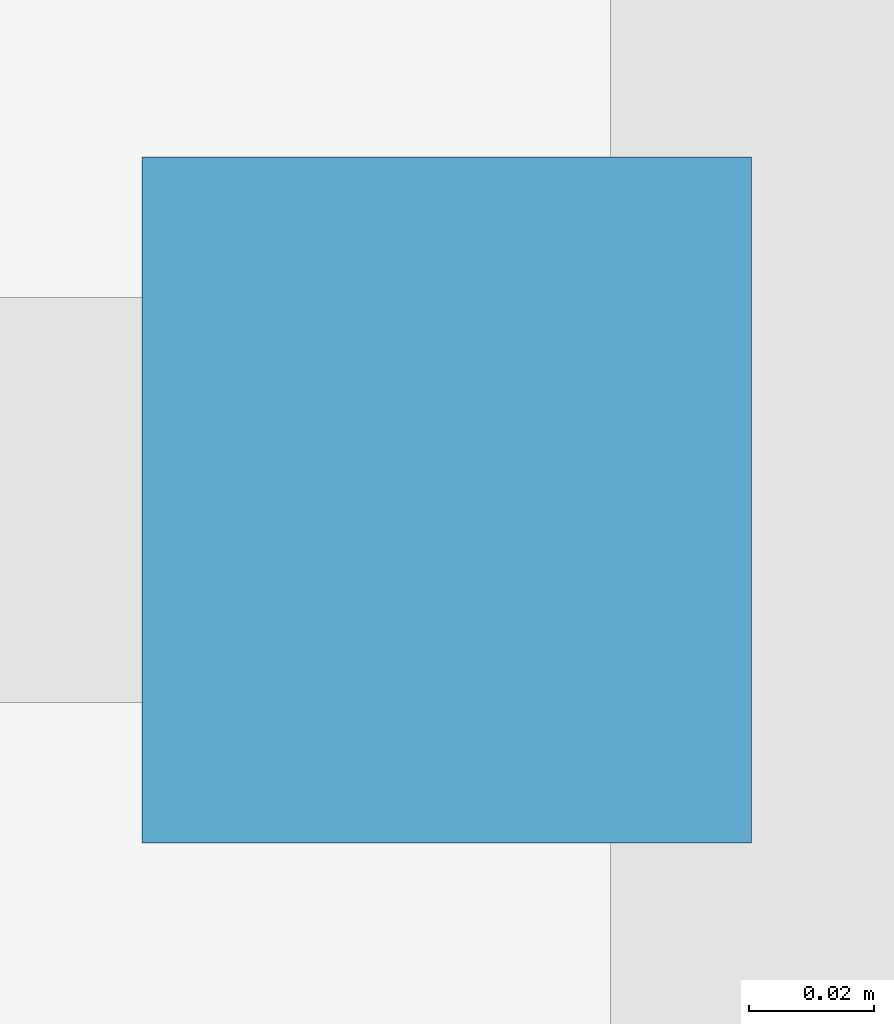
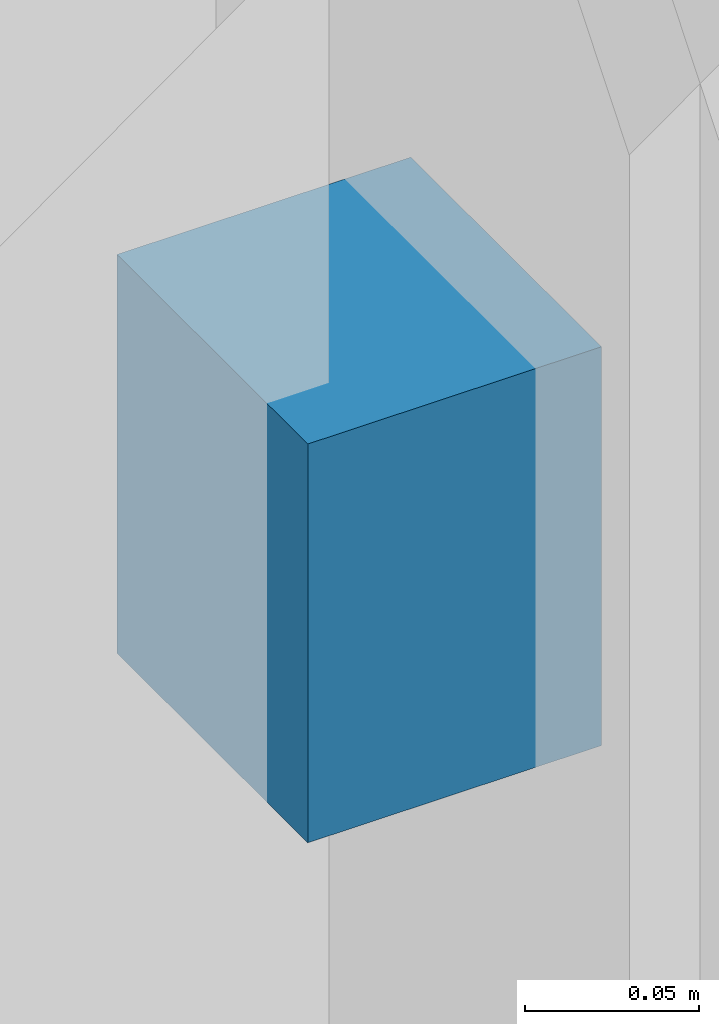
# One storey, part 16 of 24: 1 discrete accessory.
"""IFC4 building model written with IfcOpenShell, lengths in metres."""

from ifc_helpers import new_model, si_unit, direction, frame, origin, place, context, subcontext, project, spatial, polyline, outline, extrude, material, type_object, element, save


model = new_model("IFC4")

# Units and contexts
model_context = context("Model", 3, precision=1e-05, world=origin(), true_north=direction((0.0, 1.0)))
body_context = subcontext(model_context, "Body", "Model", "MODEL_VIEW")
ifc_project = project(units=[si_unit("LENGTHUNIT", "METRE"), si_unit("AREAUNIT", "SQUARE_METRE"), si_unit("VOLUMEUNIT", "CUBIC_METRE"), si_unit("PLANEANGLEUNIT", "RADIAN"), si_unit("MASSUNIT", "GRAM", prefix="KILO")], contexts=[model_context])

# Site, building, storey
site_placement = place(None, origin())
site = spatial("IfcSite", under=ifc_project, at=site_placement, CompositionType="ELEMENT")
building_placement = place(site_placement, origin())
building = spatial("IfcBuilding", under=site, at=building_placement, Name="Qalmaran Belvedere Hotel", CompositionType="ELEMENT")
storey_placement = place(building_placement, frame((0.0, 0.0, 14.60009765625)))
storey = spatial("IfcBuildingStorey", under=building, at=storey_placement, Name="L03", CompositionType="ELEMENT", Elevation=14.60009765625)

# Discrete accessory
ifc_material = material(Name="Stainless Steel 1.4401", Category="steel")
discrete_accessory_type = type_object("IfcDiscreteAccessoryType", Name="BRK-FIN-SS316", PredefinedType="BRACKET", material=ifc_material)
discrete_accessory_placement = place(storey_placement, frame((0.0, 0.0, 2.099853515625)))
element("IfcDiscreteAccessory", 1, at=discrete_accessory_placement, inside=storey, type_object=discrete_accessory_type, Name="L03 Fin Bracket 1", PredefinedType="BRACKET", context=body_context, shape_type="SweptSolid", body=[
    extrude(outline(polyline([(3.705078125, 39.962890625), (3.607421875, 39.962890625), (3.607421875, 39.85302734375), (3.705078125, 39.85302734375), (3.705078125, 39.962890625)])), origin(), (0.0, 0.0, 1.0), 0.14013671875),
])

save(model, "model.ifc")
